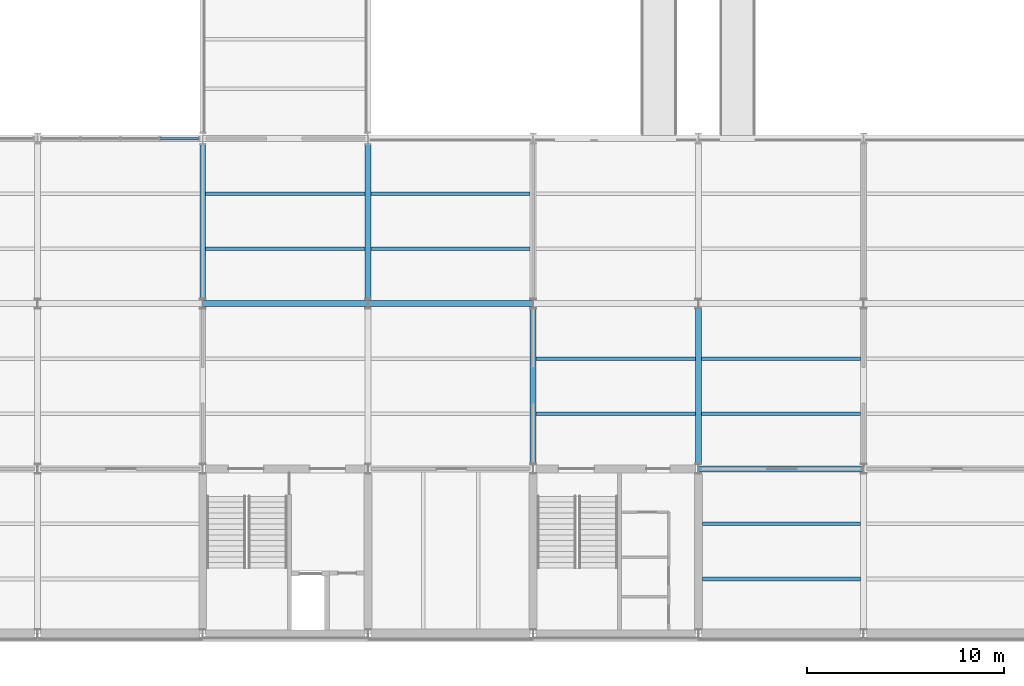
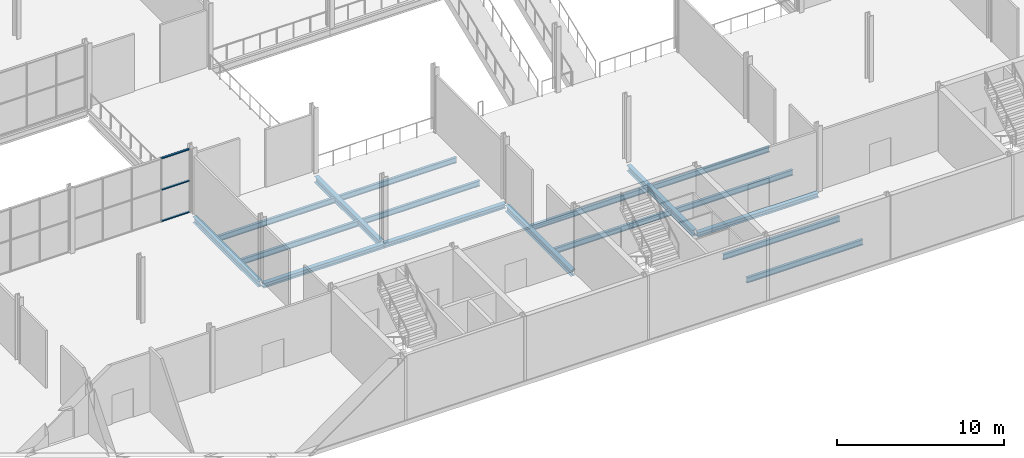
# One storey, part 12 of 61: 17 beams, 3 members, 1 element without a shape of its own.
"""IFC4 building model written with IfcOpenShell, lengths in metres."""

from ifc_helpers import new_model, si_unit, direction, frame, origin, origin_2d, place, context, subcontext, project, spatial, rectangle, i_section, extrude, material, layer, layer_set, material_profile, profile_set, type_object, element, aggregate, save


model = new_model("IFC4")

# Units and contexts
model_context = context("Model", 3, precision=1e-05, world=origin(), true_north=direction((0.0, 1.0)))
body_context = subcontext(model_context, "Body", "Model", "MODEL_VIEW")
ifc_project = project(units=[si_unit("LENGTHUNIT", "METRE"), si_unit("AREAUNIT", "SQUARE_METRE"), si_unit("VOLUMEUNIT", "CUBIC_METRE"), si_unit("PLANEANGLEUNIT", "RADIAN"), si_unit("MASSUNIT", "GRAM", prefix="KILO")], contexts=[model_context])

# Site, building, storey
site_placement = place(None, origin())
site = spatial("IfcSite", under=ifc_project, at=site_placement, CompositionType="ELEMENT")
building_placement = place(site_placement, origin())
building = spatial("IfcBuilding", under=site, at=building_placement, Name="Galleria Vessillo Department Store", CompositionType="ELEMENT")
storey_placement = place(building_placement, frame((0.0, 0.0, 11.39990234375)))
storey = spatial("IfcBuildingStorey", under=building, at=storey_placement, Name="L02", CompositionType="ELEMENT", Elevation=11.39990234375)

# Curtain wall, members
ifc_material_1 = material(Name="Aluminium and glass curtain wall", Category="aluminium")
ifc_layer = layer(ifc_material_1, 0.199951171875)
ifc_layer_set = layer_set([ifc_layer], Name="Aluminium and glass curtain wall")
curtain_wall_type = type_object("IfcCurtainWallType", Name="Arcade curtain wall CW1 2100 module", PredefinedType="NOTDEFINED", material=ifc_layer_set)
curtain_wall_placement = place(storey_placement, origin())
curtain_wall = element("IfcCurtainWall", 1, at=curtain_wall_placement, inside=storey, type_object=curtain_wall_type, Name="Arcade curtain wall CW1 2100 module AI-AW-S-L02-02", PredefinedType="NOTDEFINED")
ifc_material_2 = material(Name="Aluminium alloy 6063 T6", Category="aluminium")
ifc_material_profile_1 = material_profile(ifc_material_2, rectangle(XDim=0.139892578125, YDim=0.070068359375, at=origin_2d()), Name="AL 70x140")
ifc_profile_set_1 = profile_set([ifc_material_profile_1], Name="Aluminium alloy 6063 T6")
member_type = type_object("IfcMemberType", Name="Aluminium transom 70 x 140", PredefinedType="USERDEFINED", material=ifc_profile_set_1)
member_1_placement = place(storey_placement, frame((31.453857421875, 25.199951171875, 0.034912109375), z_axis=(1.0, 0.0, 0.0), x_axis=(0.0, 1.0, 0.0)))
member_1 = element("IfcMember", 2, at=member_1_placement, type_object=member_type, Name="CW1 transom 4.1", ObjectType="TRANSOM", PredefinedType="USERDEFINED", context=body_context, shape_type="SweptSolid", body=[
    extrude(rectangle(XDim=0.139892578125, YDim=0.070068359375, at=origin_2d()), origin(), (0.0, 0.0, 1.0), 1.93359375),
])
member_2_placement = place(storey_placement, frame((31.453857421875, 25.199951171875, 2.3251953125), z_axis=(1.0, 0.0, 0.0), x_axis=(0.0, 1.0, 0.0)))
member_2 = element("IfcMember", 3, at=member_2_placement, type_object=member_type, Name="CW1 transom 4.2", ObjectType="TRANSOM", PredefinedType="USERDEFINED", context=body_context, shape_type="SweptSolid", body=[
    extrude(rectangle(XDim=0.139892578125, YDim=0.070068359375, at=origin_2d()), origin(), (0.0, 0.0, 1.0), 1.93359375),
])
member_3_placement = place(storey_placement, frame((31.453857421875, 25.199951171875, 4.615234375), z_axis=(1.0, 0.0, 0.0), x_axis=(0.0, 1.0, 0.0)))
member_3 = element("IfcMember", 4, at=member_3_placement, type_object=member_type, Name="CW1 transom 4.3", ObjectType="TRANSOM", PredefinedType="USERDEFINED", context=body_context, shape_type="SweptSolid", body=[
    extrude(rectangle(XDim=0.139892578125, YDim=0.070068359375, at=origin_2d()), origin(), (0.0, 0.0, 1.0), 1.93359375),
])
aggregate(curtain_wall, [member_1, member_2, member_3])

# Beams
ifc_material_3 = material(Name="Steel S355 J2", Category="steel")
ifc_material_profile_2 = material_profile(ifc_material_3, i_section(OverallWidth=0.300048828125, OverallDepth=0.43994140625, WebThickness=0.011474609375, FlangeThickness=0.02099609375, FilletRadius=0.027099609375, at=origin_2d()), Name="HEA 450")
ifc_profile_set_2 = profile_set([ifc_material_profile_2], Name="Steel S355 J2")
beam_type_1 = type_object("IfcBeamType", Name="Floor girder HEA 450", PredefinedType="BEAM", material=ifc_profile_set_2)
for number, where, z_axis, x_axis, name in (
    (5, (33.60009765625, 17.050048828125, -0.369873046875), (0.0, 1.0, 0.0), (-1.0, 0.0, 0.0), "S-BM-L02-GI-y33600-17050"),
    (6, (42.0, 17.050048828125, -0.369873046875), (0.0, 1.0, 0.0), (-1.0, 0.0, 0.0), "S-BM-L02-GI-y42000-17050"),
):
    element("IfcBeam", number, at=place(storey_placement, frame(where, z_axis=z_axis, x_axis=x_axis)), inside=storey, type_object=beam_type_1, Name=name, PredefinedType="BEAM", context=body_context, shape_type="SweptSolid", body=[
        extrude(i_section(OverallWidth=0.300048828125, OverallDepth=0.43994140625, WebThickness=0.011474609375, FlangeThickness=0.02099609375, FilletRadius=0.027099609375, at=origin_2d()), origin(), (0.0, 0.0, 1.0), 7.83984375),
    ])
for number, where, z_axis, x_axis, name in (
    (7, (50.39990234375, 8.650146484375, -0.369873046875), (0.0, 1.0, 0.0), (-1.0, 0.0, 0.0), "S-BM-L02-GI-y50400-8650"),
    (8, (58.800048828125, 8.650146484375, -0.369873046875), (0.0, 1.0, 0.0), (-1.0, 0.0, 0.0), "S-BM-L02-GI-y58800-8650"),
):
    element("IfcBeam", number, at=place(storey_placement, frame(where, z_axis=z_axis, x_axis=x_axis)), inside=storey, type_object=beam_type_1, Name=name, PredefinedType="BEAM", context=body_context, shape_type="SweptSolid", body=[
        extrude(i_section(OverallWidth=0.300048828125, OverallDepth=0.43994140625, WebThickness=0.011474609375, FlangeThickness=0.02099609375, FilletRadius=0.027099609375, at=origin_2d()), origin(), (0.0, 0.0, 1.0), 7.899658203125),
    ])
ifc_material_4 = material(Name="Steel S355 J2", Category="steel")
ifc_material_profile_3 = material_profile(ifc_material_4, i_section(OverallWidth=0.179931640625, OverallDepth=0.39990234375, WebThickness=0.008544921875, FlangeThickness=0.013427734375, FilletRadius=0.02099609375, at=origin_2d()), Name="IPE 400")
ifc_profile_set_3 = profile_set([ifc_material_profile_3], Name="Steel S355 J2")
beam_type_2 = type_object("IfcBeamType", Name="Floor joist IPE 400", PredefinedType="JOIST", material=ifc_profile_set_3)
for number, where, z_axis, x_axis, name in (
    (9, (33.750244140625, 19.60009765625, -0.349853515625), (1.0, 0.0, 0.0), (0.0, 1.0, 0.0), "S-BM-L02-JO-x19600-33750"),
    (10, (33.750244140625, 22.39990234375, -0.349853515625), (1.0, 0.0, 0.0), (0.0, 1.0, 0.0), "S-BM-L02-JO-x22400-33750"),
    (11, (42.150146484375, 19.60009765625, -0.349853515625), (1.0, 0.0, 0.0), (0.0, 1.0, 0.0), "S-BM-L02-JO-x19600-42150"),
    (12, (42.150146484375, 22.39990234375, -0.349853515625), (1.0, 0.0, 0.0), (0.0, 1.0, 0.0), "S-BM-L02-JO-x22400-42150"),
):
    element("IfcBeam", number, at=place(storey_placement, frame(where, z_axis=z_axis, x_axis=x_axis)), inside=storey, type_object=beam_type_2, Name=name, PredefinedType="JOIST", context=body_context, shape_type="SweptSolid", body=[
        extrude(i_section(OverallWidth=0.179931640625, OverallDepth=0.39990234375, WebThickness=0.008544921875, FlangeThickness=0.013427734375, FilletRadius=0.02099609375, at=origin_2d()), origin(), (0.0, 0.0, 1.0), 8.099609375),
    ])
for number, where, z_axis, x_axis, name in (
    (13, (50.550048828125, 11.199951171875, -0.349853515625), (1.0, 0.0, 0.0), (0.0, 1.0, 0.0), "S-BM-L02-JO-x11200-50550"),
    (14, (50.550048828125, 14.0, -0.349853515625), (1.0, 0.0, 0.0), (0.0, 1.0, 0.0), "S-BM-L02-JO-x14000-50550"),
):
    element("IfcBeam", number, at=place(storey_placement, frame(where, z_axis=z_axis, x_axis=x_axis)), inside=storey, type_object=beam_type_2, Name=name, PredefinedType="JOIST", context=body_context, shape_type="SweptSolid", body=[
        extrude(i_section(OverallWidth=0.179931640625, OverallDepth=0.39990234375, WebThickness=0.008544921875, FlangeThickness=0.013427734375, FilletRadius=0.02099609375, at=origin_2d()), origin(), (0.0, 0.0, 1.0), 8.099853515625),
    ])
for number, where, z_axis, x_axis, name in (
    (15, (59.000244140625, 2.800048828125, -0.349853515625), (1.0, 0.0, 0.0), (0.0, 1.0, 0.0), "S-BM-L02-JO-x2800-59000"),
    (16, (59.000244140625, 5.60009765625, -0.349853515625), (1.0, 0.0, 0.0), (0.0, 1.0, 0.0), "S-BM-L02-JO-x5600-59000"),
):
    element("IfcBeam", number, at=place(storey_placement, frame(where, z_axis=z_axis, x_axis=x_axis)), inside=storey, type_object=beam_type_2, Name=name, PredefinedType="JOIST", context=body_context, shape_type="SweptSolid", body=[
        extrude(i_section(OverallWidth=0.179931640625, OverallDepth=0.39990234375, WebThickness=0.008544921875, FlangeThickness=0.013427734375, FilletRadius=0.02099609375, at=origin_2d()), origin(), (0.0, 0.0, 1.0), 8.049560546875),
    ])
for number, where, z_axis, x_axis, name in (
    (17, (58.9501953125, 11.199951171875, -0.349853515625), (1.0, 0.0, 0.0), (0.0, 1.0, 0.0), "S-BM-L02-JO-x11200-58950"),
    (18, (58.9501953125, 14.0, -0.349853515625), (1.0, 0.0, 0.0), (0.0, 1.0, 0.0), "S-BM-L02-JO-x14000-58950"),
):
    element("IfcBeam", number, at=place(storey_placement, frame(where, z_axis=z_axis, x_axis=x_axis)), inside=storey, type_object=beam_type_2, Name=name, PredefinedType="JOIST", context=body_context, shape_type="SweptSolid", body=[
        extrude(i_section(OverallWidth=0.179931640625, OverallDepth=0.39990234375, WebThickness=0.008544921875, FlangeThickness=0.013427734375, FilletRadius=0.02099609375, at=origin_2d()), origin(), (0.0, 0.0, 1.0), 8.099609375),
    ])
ifc_material_5 = material(Name="Steel S355 J2", Category="steel")
ifc_material_profile_4 = material_profile(ifc_material_5, i_section(OverallWidth=0.300048828125, OverallDepth=0.330078125, WebThickness=0.009521484375, FlangeThickness=0.0166015625, FilletRadius=0.027099609375, at=origin_2d()), Name="HEA 340")
ifc_profile_set_4 = profile_set([ifc_material_profile_4], Name="Steel S355 J2")
beam_type_3 = type_object("IfcBeamType", Name="Floor tie girder HEA 340", PredefinedType="BEAM", material=ifc_profile_set_4)
for number, where, z_axis, x_axis, name in (
    (19, (58.807373046875, 8.39990234375, -0.31494140625), (1.0, 0.0, 0.0), (0.0, 1.0, 0.0), "S-BM-L02-TI-x8400-58807"),
    (20, (33.607421875, 16.800048828125, -0.31494140625), (1.0, 0.0, 0.0), (0.0, 1.0, 0.0), "S-BM-L02-TI-x16800-33607"),
    (21, (42.00732421875, 16.800048828125, -0.31494140625), (1.0, 0.0, 0.0), (0.0, 1.0, 0.0), "S-BM-L02-TI-x16800-42007"),
):
    element("IfcBeam", number, at=place(storey_placement, frame(where, z_axis=z_axis, x_axis=x_axis)), inside=storey, type_object=beam_type_3, Name=name, PredefinedType="BEAM", context=body_context, shape_type="SweptSolid", body=[
        extrude(i_section(OverallWidth=0.300048828125, OverallDepth=0.330078125, WebThickness=0.009521484375, FlangeThickness=0.0166015625, FilletRadius=0.027099609375, at=origin_2d()), origin(), (0.0, 0.0, 1.0), 8.38525390625),
    ])

save(model, "model.ifc")
